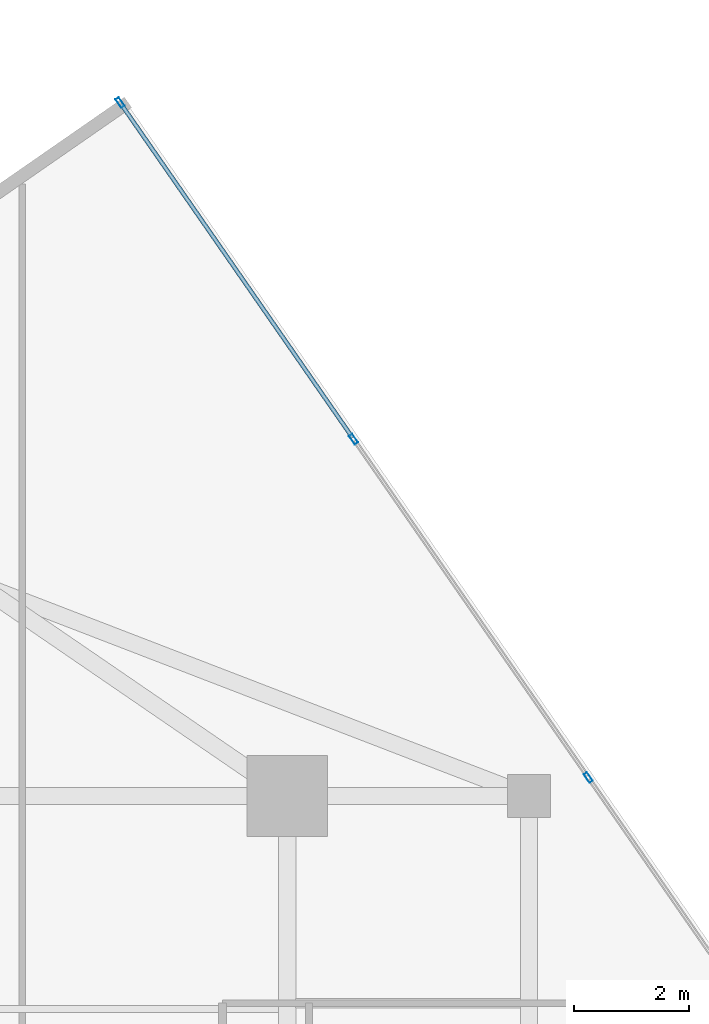
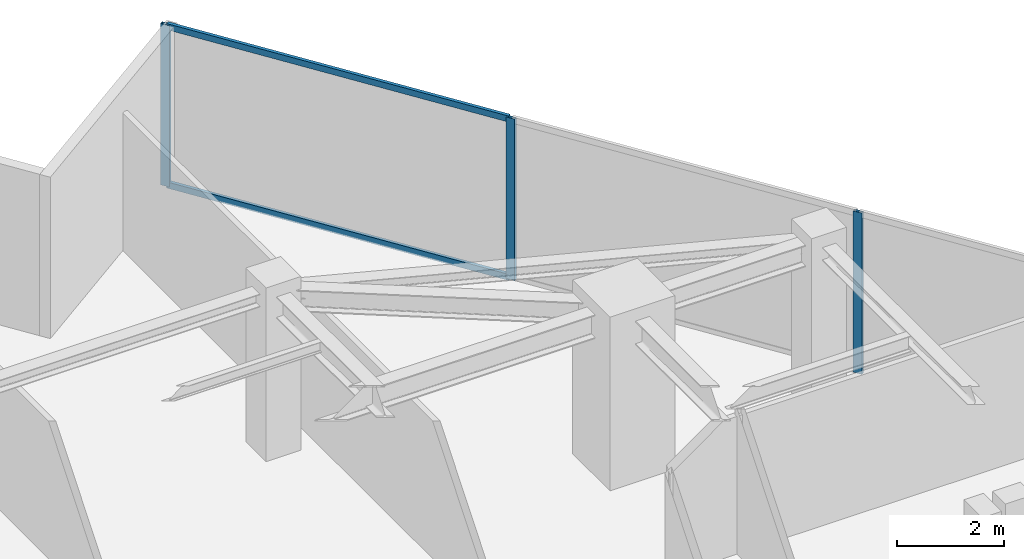
# One storey, part 16 of 21: 5 members, 1 element without a shape of its own.
"""IFC4 building model written with IfcOpenShell, lengths in metres."""

from ifc_helpers import new_model, si_unit, direction, frame, origin, origin_2d, place, context, subcontext, project, spatial, hollow_rectangle, extrude, source, transform, mapped, material, material_profile, profile_set, type_object, type_shapes, element, aggregate, save


model = new_model("IFC4")

# Units and contexts
model_context = context("Model", 3, precision=1e-05, world=origin(), true_north=direction((0.0, 1.0)))
body_context = subcontext(model_context, "Body", "Model", "MODEL_VIEW")
ifc_project = project(units=[si_unit("LENGTHUNIT", "METRE"), si_unit("AREAUNIT", "SQUARE_METRE"), si_unit("VOLUMEUNIT", "CUBIC_METRE"), si_unit("PLANEANGLEUNIT", "RADIAN"), si_unit("MASSUNIT", "GRAM", prefix="KILO")], contexts=[model_context])

# Site, building, storey
site_placement = place(None, origin())
site = spatial("IfcSite", under=ifc_project, at=site_placement, CompositionType="ELEMENT")
building_placement = place(site_placement, origin())
building = spatial("IfcBuilding", under=site, at=building_placement, Name="Krantzveldt Concourse Tower", CompositionType="ELEMENT")
storey_placement = place(building_placement, frame((0.0, 0.0, 279.25)))
storey = spatial("IfcBuildingStorey", under=building, at=storey_placement, Name="L68", CompositionType="ELEMENT", Elevation=279.25)

# Curtain wall, members
ifc_material = material(Name="Anodised aluminium 6063-T6", Category="aluminium")
curtain_wall_type = type_object("IfcCurtainWallType", Name="CW4", PredefinedType="USERDEFINED", material=ifc_material)
curtain_wall_placement = place(storey_placement, origin())
curtain_wall = element("IfcCurtainWall", 1, at=curtain_wall_placement, inside=storey, type_object=curtain_wall_type, Name="CW-L68-F14", ObjectType="UNITISED CURTAIN WALL", PredefinedType="USERDEFINED")
ifc_material_profile_1 = material_profile(ifc_material, hollow_rectangle(XDim=0.070068359375, YDim=0.179931640625, WallThickness=0.0048828125, at=origin_2d()), Name="Anodised aluminium 6063-T6", Category="aluminium")
ifc_profile_set_1 = profile_set([ifc_material_profile_1], Name="Anodised aluminium 6063-T6 - ALU-MULL 180x70x5")
member_type_1 = type_object("IfcMemberType", Name="CW-MUL-180", PredefinedType="MULLION", material=ifc_profile_set_1)
shared_shape_1 = source(origin(), body_context, "Body", "SweptSolid", [
    extrude(hollow_rectangle(XDim=0.070068359375, YDim=0.179931640625, WallThickness=0.0048828125, at=origin_2d()), origin(), (0.0, 0.0, 1.0), 3.669921875),
])
type_shapes(member_type_1, [shared_shape_1])
member_1_placement = place(storey_placement, frame((52.0302734375, 37.820556640625, 0.0), z_axis=(0.0, 0.0, 1.0), x_axis=(-0.821647031735, -0.569996627395, 0.0)))
member_1 = element("IfcMember", 2, at=member_1_placement, type_object=member_type_1, Name="CW-Z56 mullion 3", PredefinedType="MULLION", context=body_context, shape_type="MappedRepresentation", body=[
    mapped(shared_shape_1, transform((0.0, 0.0, 0.0), x_axis=(1.0, 0.0, 0.0), y_axis=(0.0, 1.0, 0.0), z_axis=(0.0, 0.0, 1.0), scale=1.0)),
])
member_2_placement = place(storey_placement, frame((47.954833984375, 43.6953125, 0.0), z_axis=(0.0, 0.0, 1.0), x_axis=(-0.821647031735, -0.569996627395, 0.0)))
member_2 = element("IfcMember", 3, at=member_2_placement, type_object=member_type_1, Name="CW-Z56 mullion 4", PredefinedType="MULLION", context=body_context, shape_type="MappedRepresentation", body=[
    mapped(shared_shape_1, transform((0.0, 0.0, 0.0), x_axis=(1.0, 0.0, 0.0), y_axis=(0.0, 1.0, 0.0), z_axis=(0.0, 0.0, 1.0), scale=1.0)),
])
member_3_placement = place(storey_placement, frame((43.8994140625, 49.54150390625, 0.0), z_axis=(0.0, 0.0, 1.0), x_axis=(-0.821647031735, -0.569996627395, 0.0)))
member_3 = element("IfcMember", 4, at=member_3_placement, type_object=member_type_1, Name="CW-Z56 mullion 5", PredefinedType="MULLION", context=body_context, shape_type="MappedRepresentation", body=[
    mapped(shared_shape_1, transform((0.0, 0.0, 0.0), x_axis=(1.0, 0.0, 0.0), y_axis=(0.0, 1.0, 0.0), z_axis=(0.0, 0.0, 1.0), scale=1.0)),
])
ifc_material_profile_2 = material_profile(ifc_material, hollow_rectangle(XDim=0.070068359375, YDim=0.139892578125, WallThickness=0.0048828125, at=origin_2d()), Name="Anodised aluminium 6063-T6", Category="aluminium")
ifc_profile_set_2 = profile_set([ifc_material_profile_2], Name="Anodised aluminium 6063-T6 - ALU-TRAN 140x70x5")
member_type_2 = type_object("IfcMemberType", Name="CW-TRN-150", PredefinedType="USERDEFINED", material=ifc_profile_set_2)
shared_shape_2 = source(origin(), body_context, "Body", "SweptSolid", [
    extrude(hollow_rectangle(XDim=0.070068359375, YDim=0.139892578125, WallThickness=0.0048828125, at=origin_2d()), origin(), (0.0, 0.0, 1.0), 7.045166015625),
])
type_shapes(member_type_2, [shared_shape_2])
member_4_placement = place(storey_placement, frame((47.934814453125, 43.72412109375, 0.034912109375), z_axis=(-0.569991796641, 0.821650382926, 0.0), x_axis=(-0.821650382926, -0.569991796641, 0.0)))
member_4 = element("IfcMember", 5, at=member_4_placement, type_object=member_type_2, Name="CW-Z56 transom 4.1", ObjectType="TRANSOM", PredefinedType="USERDEFINED", context=body_context, shape_type="MappedRepresentation", body=[
    mapped(shared_shape_2, transform((0.0, 0.0, 0.0), x_axis=(1.0, 0.0, 0.0), y_axis=(0.0, 1.0, 0.0), z_axis=(0.0, 0.0, 1.0), scale=1.0)),
])
member_5_placement = place(storey_placement, frame((47.934814453125, 43.72412109375, 3.635009765625), z_axis=(-0.569991796641, 0.821650382926, 0.0), x_axis=(-0.821650382926, -0.569991796641, 0.0)))
member_5 = element("IfcMember", 6, at=member_5_placement, type_object=member_type_2, Name="CW-Z56 transom 4.2", ObjectType="TRANSOM", PredefinedType="USERDEFINED", context=body_context, shape_type="MappedRepresentation", body=[
    mapped(shared_shape_2, transform((0.0, 0.0, 0.0), x_axis=(1.0, 0.0, 0.0), y_axis=(0.0, 1.0, 0.0), z_axis=(0.0, 0.0, 1.0), scale=1.0)),
])
aggregate(curtain_wall, [member_1, member_2, member_3, member_4, member_5])

save(model, "model.ifc")
